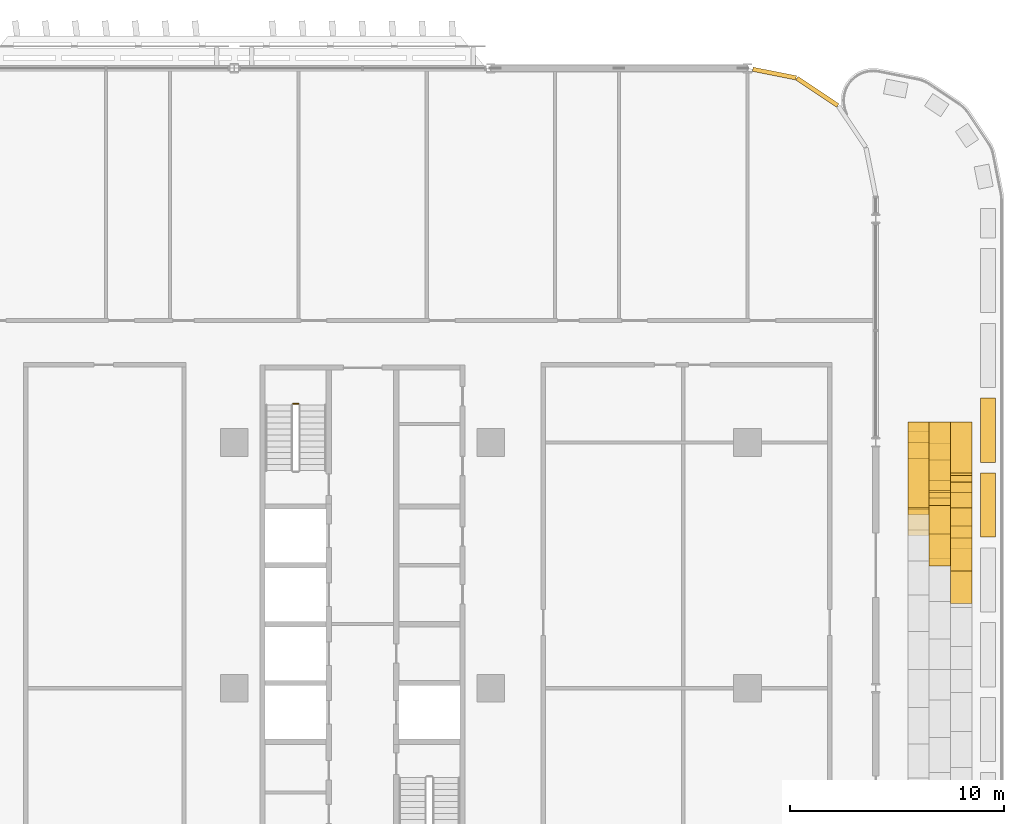
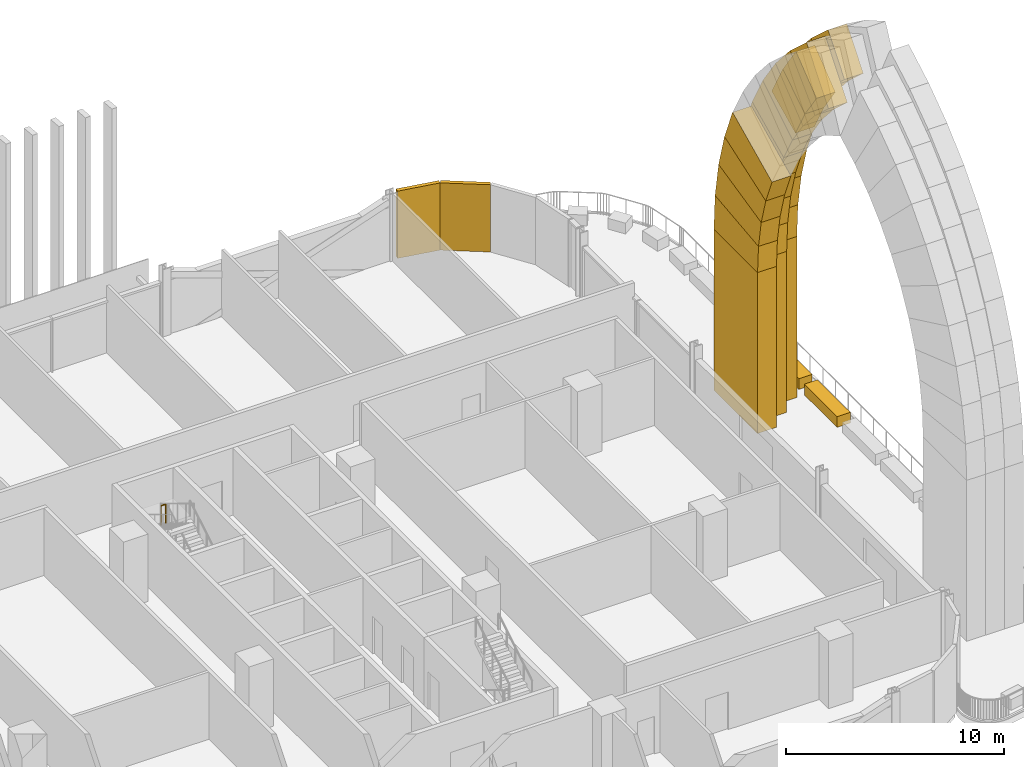
# One storey, part 32 of 33: 27 coverings, 1 railing.
"""IFC4 building model written with IfcOpenShell, lengths in metres."""

from ifc_helpers import new_model, si_unit, direction, frame, origin, origin_2d, place, context, subcontext, project, spatial, polyline, rectangle, circle, outline, extrude, material, layer, layer_set, type_object, element, save


model = new_model("IFC4")

# Units and contexts
model_context = context("Model", 3, precision=1e-05, world=origin(), true_north=direction((0.0, 1.0)))
body_context = subcontext(model_context, "Body", "Model", "MODEL_VIEW")
ifc_project = project(units=[si_unit("LENGTHUNIT", "METRE"), si_unit("AREAUNIT", "SQUARE_METRE"), si_unit("VOLUMEUNIT", "CUBIC_METRE"), si_unit("PLANEANGLEUNIT", "RADIAN"), si_unit("MASSUNIT", "GRAM", prefix="KILO")], contexts=[model_context])

# Site, building, storey
site_placement = place(None, origin())
site = spatial("IfcSite", under=ifc_project, at=site_placement, CompositionType="ELEMENT")
building_placement = place(site_placement, origin())
building = spatial("IfcBuilding", under=site, at=building_placement, Name="Mahtab Terrace Research Tower", CompositionType="ELEMENT")
storey_placement = place(building_placement, frame((0.0, 0.0, 122.0)))
storey = spatial("IfcBuildingStorey", under=building, at=storey_placement, Name="L28", CompositionType="ELEMENT", Elevation=122.0)

# Coverings
ifc_material_1 = material(Name="Black aluminium cladding panel", Category="aluminium")
ifc_layer_1 = layer(ifc_material_1, 0.199951171875)
ifc_layer_set_1 = layer_set([ifc_layer_1], Name="Black metal corner cladding 200")
covering_type_1 = type_object("IfcCoveringType", Name="Black metal corner cladding 200", PredefinedType="CLADDING", material=ifc_layer_set_1)
covering_1_placement = place(storey_placement, frame((45.26953125, 27.89306640625, 0.0), z_axis=(0.0, 0.0, 1.0), x_axis=(-0.831655794326, 0.555291490808, 0.0)))
element("IfcCovering", 1, at=covering_1_placement, inside=storey, type_object=covering_type_1, Name="Corner cladding L28 1", PredefinedType="CLADDING", context=body_context, shape_type="SweptSolid", body=[
    extrude(rectangle(XDim=2.30126953125, YDim=0.199951171875, at=origin_2d()), origin(), (0.0, 0.0, 1.0), 3.760009765625),
])
covering_2_placement = place(storey_placement, frame((43.263916015625, 28.74853515625, 0.0), z_axis=(0.0, 0.0, 1.0), x_axis=(-0.980760981187, 0.195212442692, 0.0)))
element("IfcCovering", 2, at=covering_2_placement, inside=storey, type_object=covering_type_1, Name="Corner cladding L28 2", PredefinedType="CLADDING", context=body_context, shape_type="SweptSolid", body=[
    extrude(rectangle(XDim=2.064697265625, YDim=0.199951171875, at=origin_2d()), origin(), (0.0, 0.0, 1.0), 3.760009765625),
])
ifc_material_2 = material(Name="Glazed ceramic tile cladding", Category="masonry")
ifc_layer_2 = layer(ifc_material_2, 1.0)
ifc_layer_set_2 = layer_set([ifc_layer_2], Name="Iwan portal cladding arch course 800")
covering_type_2 = type_object("IfcCoveringType", Name="Iwan portal cladding arch course 800", PredefinedType="CLADDING", material=ifc_layer_set_2)
covering_3_placement = place(storey_placement, frame((49.5, 8.458984375, 9.030029296875), z_axis=(-1.0, 0.0, 0.0), x_axis=(0.0, -0.055461090286, 0.99846084924)))
element("IfcCovering", 3, at=covering_3_placement, inside=storey, type_object=covering_type_2, Name="Iwan portal arch course 3.1.1E1", PredefinedType="CLADDING", context=body_context, shape_type="SweptSolid", body=[
    extrude(outline(polyline([(0.0, 0.0), (1.5142936167967052, 1.3877787807814457e-17), (1.7362635800146136, 3.9935550356904432), (-0.22184436114221556, 3.993843396958549), (0.0, 0.0)])), origin(), (0.0, 0.0, -1.0), 1.0),
])
covering_4_placement = place(storey_placement, frame((49.5, 8.375, 10.5419921875), z_axis=(-1.0, 0.0, 0.0), x_axis=(0.0, -0.165784869501, 0.986161942606)))
element("IfcCovering", 4, at=covering_4_placement, inside=storey, type_object=covering_type_2, Name="Iwan portal arch course 3.1.1E2", PredefinedType="CLADDING", context=body_context, shape_type="SweptSolid", body=[
    extrude(outline(polyline([(0.0, 0.0), (1.5138689269733931, 5.551115123125783e-17), (1.7359110818804204, 3.9939350001853136), (-0.22202766586581246, 3.9935518280410025), (0.0, 0.0)])), origin(), (0.0, 0.0, -1.0), 1.0),
])
covering_5_placement = place(storey_placement, frame((49.5, 8.1240234375, 12.034912109375), z_axis=(-1.0, 0.0, 0.0), x_axis=(0.0, -0.274124754843, 0.961694139933)))
element("IfcCovering", 5, at=covering_5_placement, inside=storey, type_object=covering_type_2, Name="Iwan portal arch course 3.1.1E3", PredefinedType="CLADDING", context=body_context, shape_type="SweptSolid", body=[
    extrude(outline(polyline([(0.0, 0.0), (1.5140517416494066, 0.0), (1.7349103466203575, 3.9935484145553954), (-0.22224308615465016, 3.9939238243759076), (0.0, 0.0)])), origin(), (0.0, 0.0, -1.0), 1.0),
])
covering_6_placement = place(storey_placement, frame((49.5, 7.708984375, 13.490966796875), z_axis=(-1.0, 0.0, 0.0), x_axis=(0.0, -0.378526083863, 0.925590624324)))
element("IfcCovering", 6, at=covering_6_placement, inside=storey, type_object=covering_type_2, Name="Iwan portal arch course 3.1.1E4", PredefinedType="CLADDING", context=body_context, shape_type="SweptSolid", body=[
    extrude(outline(polyline([(0.0, 0.0), (1.5137610624556468, 0.0), (1.73668289170806, 3.9936038425312264), (-0.22097342622463523, 3.9935420628422307), (0.0, 0.0)])), origin(), (0.0, 0.0, -1.0), 1.0),
])
covering_7_placement = place(storey_placement, frame((50.5, 9.259033203125, 9.030029296875), z_axis=(-1.0, 0.0, 0.0), x_axis=(0.0, -0.055583138191, 0.998454062413)))
element("IfcCovering", 7, at=covering_7_placement, inside=storey, type_object=covering_type_2, Name="Iwan portal arch course 3.1.2E1", PredefinedType="CLADDING", context=body_context, shape_type="SweptSolid", body=[
    extrude(outline(polyline([(0.0, 0.0), (1.6734855417003704, 0.0), (1.8511666529822004, 3.1947465932270167), (-0.17786332819083372, 3.1950042470815383), (0.0, 0.0)])), origin(), (0.0, 0.0, -1.0), 1.0),
])
covering_8_placement = place(storey_placement, frame((50.5, 9.166015625, 10.700927734375), z_axis=(-1.0, 0.0, 0.0), x_axis=(0.0, -0.165510298694, 0.986208061733)))
element("IfcCovering", 8, at=covering_8_placement, inside=storey, type_object=covering_type_2, Name="Iwan portal arch course 3.1.2E2", PredefinedType="CLADDING", context=body_context, shape_type="SweptSolid", body=[
    extrude(outline(polyline([(0.0, 0.0), (1.674213698856141, 0.0), (1.8517904038055755, 3.1945434698054878), (-0.17622683562698915, 3.1948271431560853), (0.0, 0.0)])), origin(), (0.0, 0.0, -1.0), 1.0),
])
covering_9_placement = place(storey_placement, frame((50.5, 8.888916015625, 12.35205078125), z_axis=(-1.0, 0.0, 0.0), x_axis=(0.0, -0.274335648268, 0.961634001109)))
element("IfcCovering", 9, at=covering_9_placement, inside=storey, type_object=covering_type_2, Name="Iwan portal arch course 3.1.2E3", PredefinedType="CLADDING", context=body_context, shape_type="SweptSolid", body=[
    extrude(outline(polyline([(0.0, 0.0), (1.6730759487435956, 0.0), (1.850383701591068, 3.195406730264062), (-0.17937404840301452, 3.1944430527678995), (0.0, 0.0)])), origin(), (0.0, 0.0, -1.0), 1.0),
])
covering_10_placement = place(storey_placement, frame((50.5, 8.429931640625, 13.9609375), z_axis=(-1.0, 0.0, 0.0), x_axis=(0.0, -0.378797544973, 0.925479562131)))
element("IfcCovering", 10, at=covering_10_placement, inside=storey, type_object=covering_type_2, Name="Iwan portal arch course 3.1.2E4", PredefinedType="CLADDING", context=body_context, shape_type="SweptSolid", body=[
    extrude(outline(polyline([(0.0, 0.0), (1.67380494287522, 0.0), (1.8515626471063014, 3.195609089305748), (-0.1764607782230898, 3.195453614869974), (0.0, 0.0)])), origin(), (0.0, 0.0, -1.0), 1.0),
])
covering_11_placement = place(storey_placement, frame((50.5, 7.7958984375, 15.510009765625), z_axis=(-1.0, 0.0, 0.0), x_axis=(0.0, -0.479189366164, 0.877711542225)))
element("IfcCovering", 11, at=covering_11_placement, inside=storey, type_object=covering_type_2, Name="Iwan portal arch course 3.1.2E5", PredefinedType="CLADDING", context=body_context, shape_type="SweptSolid", body=[
    extrude(outline(polyline([(0.0, 0.0), (1.6736639202680141, 0.0), (1.8508755508771322, 3.1959620419107804), (-0.17806941182592895, 3.1955917351312237), (0.0, 0.0)])), origin(), (0.0, 0.0, -1.0), 1.0),
])
covering_12_placement = place(storey_placement, frame((50.5, 6.993896484375, 16.97900390625), z_axis=(-1.0, 0.0, 0.0), x_axis=(0.0, -0.573266629779, 0.8193688859)))
element("IfcCovering", 12, at=covering_12_placement, inside=storey, type_object=covering_type_2, Name="Iwan portal arch course 3.1.2E6", PredefinedType="CLADDING", context=body_context, shape_type="SweptSolid", body=[
    extrude(outline(polyline([(0.0, 0.0), (1.6745452946903905, 1.1102230246251565e-16), (1.85187536857434, 3.194862216653177), (-0.17712348325939486, 3.1959669283388594), (0.0, 0.0)])), origin(), (0.0, 0.0, -1.0), 1.0),
])
covering_13_placement = place(storey_placement, frame((50.5, 6.033935546875, 18.35107421875), z_axis=(-1.0, 0.0, 0.0), x_axis=(0.0, -0.660568670656, 0.750765630105)))
element("IfcCovering", 13, at=covering_13_placement, inside=storey, type_object=covering_type_2, Name="Iwan portal arch course 3.1.2E7", PredefinedType="CLADDING", context=body_context, shape_type="SweptSolid", body=[
    extrude(outline(polyline([(0.0, 0.0), (1.6727715343388532, 0.0), (1.8508341764250305, 3.194909790709554), (-0.17794712227107135, 3.1948279077560944), (0.0, 0.0)])), origin(), (0.0, 0.0, -1.0), 1.0),
])
covering_14_placement = place(storey_placement, frame((50.5, 4.928955078125, 19.60693359375), z_axis=(-1.0, 0.0, 0.0), x_axis=(0.0, -0.73979482891, 0.672832528285)))
element("IfcCovering", 14, at=covering_14_placement, inside=storey, type_object=covering_type_2, Name="Iwan portal arch course 3.1.2E8", PredefinedType="CLADDING", context=body_context, shape_type="SweptSolid", body=[
    extrude(outline(polyline([(0.0, 0.0), (1.673487108850535, 0.0), (1.8512790007977866, 3.1948454305774145), (-0.17754552893332032, 3.1949385691174506), (0.0, 0.0)])), origin(), (0.0, 0.0, -1.0), 1.0),
])
covering_15_placement = place(storey_placement, frame((51.5, 10.05908203125, 9.030029296875), z_axis=(-1.0, 0.0, 0.0), x_axis=(0.0, -0.055646974903, 0.998450506627)))
element("IfcCovering", 15, at=covering_15_placement, inside=storey, type_object=covering_type_2, Name="Iwan portal arch course 3.1.3E1", PredefinedType="CLADDING", context=body_context, shape_type="SweptSolid", body=[
    extrude(outline(polyline([(0.0, 0.0), (1.8338962976595645, 0.0), (1.9666348972427352, 2.39610902219494), (-0.13354730549156593, 2.3961837109730726), (0.0, 0.0)])), origin(), (0.0, 0.0, -1.0), 1.0),
])
covering_16_placement = place(storey_placement, frame((51.5, 9.95703125, 10.861083984375), z_axis=(-1.0, 0.0, 0.0), x_axis=(0.0, -0.165802554609, 0.986158969378)))
element("IfcCovering", 16, at=covering_16_placement, inside=storey, type_object=covering_type_2, Name="Iwan portal arch course 3.1.3E2", PredefinedType="CLADDING", context=body_context, shape_type="SweptSolid", body=[
    extrude(outline(polyline([(0.0, 0.0), (1.8332351925620085, 0.0), (1.9658882582795176, 2.3959773251995724), (-0.13325147419861527, 2.3960805551331514), (0.0, 0.0)])), origin(), (0.0, 0.0, -1.0), 1.0),
])
covering_17_placement = place(storey_placement, frame((51.5, 9.653076171875, 12.6689453125), z_axis=(-1.0, 0.0, 0.0), x_axis=(0.0, -0.273964644053, 0.961739764078)))
element("IfcCovering", 17, at=covering_17_placement, inside=storey, type_object=covering_type_2, Name="Iwan portal arch course 3.1.3E3", PredefinedType="CLADDING", context=body_context, shape_type="SweptSolid", body=[
    extrude(outline(polyline([(0.0, 0.0), (1.8330732688536762, 5.551115123125783e-17), (1.966819249815649, 2.396394703017509), (-0.13343015075237907, 2.3959341755534416), (0.0, 0.0)])), origin(), (0.0, 0.0, -1.0), 1.0),
])
covering_18_placement = place(storey_placement, frame((51.5, 9.15087890625, 14.431884765625), z_axis=(-1.0, 0.0, 0.0), x_axis=(0.0, -0.378907585873, 0.9254345149)))
element("IfcCovering", 18, at=covering_18_placement, inside=storey, type_object=covering_type_2, Name="Iwan portal arch course 3.1.3E4", PredefinedType="CLADDING", context=body_context, shape_type="SweptSolid", body=[
    extrude(outline(polyline([(0.0, 0.0), (1.8337564214998339, 0.0), (1.9667950504576035, 2.396065305027527), (-0.13277687325305976, 2.396448593649151), (0.0, 0.0)])), origin(), (0.0, 0.0, -1.0), 1.0),
])
covering_19_placement = place(storey_placement, frame((51.5, 8.4560546875, 16.12890625), z_axis=(-1.0, 0.0, 0.0), x_axis=(0.0, -0.479048071332, 0.87778866782)))
element("IfcCovering", 19, at=covering_19_placement, inside=storey, type_object=covering_type_2, Name="Iwan portal arch course 3.1.3E5", PredefinedType="CLADDING", context=body_context, shape_type="SweptSolid", body=[
    extrude(outline(polyline([(0.0, 0.0), (1.8331643120562442, 0.0), (1.9666637251937933, 2.3958103054695066), (-0.13308816819776892, 2.3960625539074267), (0.0, 0.0)])), origin(), (0.0, 0.0, -1.0), 1.0),
])
covering_20_placement = place(storey_placement, frame((51.5, 7.577880859375, 17.738037109375), z_axis=(-1.0, 0.0, 0.0), x_axis=(0.0, -0.572997632415, 0.819557022572)))
element("IfcCovering", 20, at=covering_20_placement, inside=storey, type_object=covering_type_2, Name="Iwan portal arch course 3.1.3E6", PredefinedType="CLADDING", context=body_context, shape_type="SweptSolid", body=[
    extrude(outline(polyline([(0.0, 0.0), (1.8338317482583866, 1.1102230246251565e-16), (1.9686955670364228, 2.3955172403048577), (-0.13172638964565087, 2.395908443862762), (0.0, 0.0)])), origin(), (0.0, 0.0, -1.0), 1.0),
])
covering_21_placement = place(storey_placement, frame((51.5, 6.527099609375, 19.240966796875), z_axis=(-1.0, 0.0, 0.0), x_axis=(0.0, -0.661026973468, 0.750362139469)))
element("IfcCovering", 21, at=covering_21_placement, inside=storey, type_object=covering_type_2, Name="Iwan portal arch course 3.1.3E7", PredefinedType="CLADDING", context=body_context, shape_type="SweptSolid", body=[
    extrude(outline(polyline([(0.0, 0.0), (1.8337499856721322, -1.1102230246251565e-16), (1.9657127687380582, 2.3964008370320484), (-0.13378500311602082, 2.395577732229627), (0.0, 0.0)])), origin(), (0.0, 0.0, -1.0), 1.0),
])
covering_22_placement = place(storey_placement, frame((51.5, 5.31494140625, 20.616943359375), z_axis=(-1.0, 0.0, 0.0), x_axis=(0.0, -0.739548312754, 0.673103478749)))
element("IfcCovering", 22, at=covering_22_placement, inside=storey, type_object=covering_type_2, Name="Iwan portal arch course 3.1.3E8", PredefinedType="CLADDING", context=body_context, shape_type="SweptSolid", body=[
    extrude(outline(polyline([(0.0, 0.0), (1.8334935093034797, 0.0), (1.9670745741353508, 2.3959253185493745), (-0.13241679523552174, 2.3963757927716514), (0.0, 0.0)])), origin(), (0.0, 0.0, -1.0), 1.0),
])
ifc_layer_3 = layer(ifc_material_2, 1.0)
ifc_layer_set_3 = layer_set([ifc_layer_3], Name="Iwan portal cladding pilaster 900")
covering_type_3 = type_object("IfcCoveringType", Name="Iwan portal cladding pilaster 900", PredefinedType="CLADDING", material=ifc_layer_set_3)
covering_23_placement = place(storey_placement, frame((50.0, 10.458984375, 0.030029296875), z_axis=(0.0, 0.0, 1.0), x_axis=(0.0, 1.0, 0.0)))
element("IfcCovering", 23, at=covering_23_placement, inside=storey, type_object=covering_type_3, Name="Iwan portal pilaster 3.1.1E", PredefinedType="CLADDING", context=body_context, shape_type="SweptSolid", body=[
    extrude(rectangle(XDim=4.0, YDim=1.0, at=origin_2d()), origin(), (0.0, 0.0, 1.0), 9.0),
])
covering_24_placement = place(storey_placement, frame((51.0, 10.85888671875, 0.030029296875), z_axis=(0.0, 0.0, 1.0), x_axis=(0.0, 1.0, 0.0)))
element("IfcCovering", 24, at=covering_24_placement, inside=storey, type_object=covering_type_3, Name="Iwan portal pilaster 3.1.2E", PredefinedType="CLADDING", context=body_context, shape_type="SweptSolid", body=[
    extrude(rectangle(XDim=3.199951171875, YDim=1.0, at=origin_2d()), origin(), (0.0, 0.0, 1.0), 9.0),
])
covering_25_placement = place(storey_placement, frame((52.0, 11.259033203125, 0.030029296875), z_axis=(0.0, 0.0, 1.0), x_axis=(0.0, 1.0, 0.0)))
element("IfcCovering", 25, at=covering_25_placement, inside=storey, type_object=covering_type_3, Name="Iwan portal pilaster 3.1.3E", PredefinedType="CLADDING", context=body_context, shape_type="SweptSolid", body=[
    extrude(rectangle(XDim=2.39990234375, YDim=1.0, at=origin_2d()), origin(), (0.0, 0.0, 1.0), 9.0),
])
ifc_material_3 = material(Name="Planting soil and shrubs")
ifc_layer_4 = layer(ifc_material_3, 0.1201171875)
ifc_layer_set_4 = layer_set([ifc_layer_4], Name="Planter")
covering_type_4 = type_object("IfcCoveringType", Name="Planter", PredefinedType="USERDEFINED", material=ifc_layer_set_4)
for number, where, z_axis, x_axis, name in (
    (26, (53.25, 8.56591796875, 0.030029296875), (0.0, 0.0, 1.0), (0.0, 1.0, 0.0), "PLANTER terrace 3"),
    (27, (53.25, 12.06591796875, 0.030029296875), (0.0, 0.0, 1.0), (0.0, 1.0, 0.0), "PLANTER terrace 3"),
):
    element("IfcCovering", number, at=place(storey_placement, frame(where, z_axis=z_axis, x_axis=x_axis)), inside=storey, type_object=covering_type_4, Name=name, ObjectType="PLANTER", PredefinedType="USERDEFINED", context=body_context, shape_type="SweptSolid", body=[
        extrude(rectangle(XDim=3.0, YDim=0.699951171875, at=origin_2d()), origin(), (0.0, 0.0, 1.0), 0.60009765625),
    ])

# Railing
ifc_material_4 = material(Name="Stainless steel AISI 304", Category="steel")
railing_type = type_object("IfcRailingType", Name="Stair guard 1100", PredefinedType="GUARDRAIL", material=ifc_material_4)
railing_placement = place(storey_placement, frame((21.0, 13.304931640625, 2.050048828125)))
element("IfcRailing", 28, at=railing_placement, inside=storey, type_object=railing_type, Name="L28 ST3 stair guard 2", PredefinedType="GUARDRAIL", context=body_context, shape_type="SweptSolid", body=[
    extrude(circle(Radius=0.02392578125, at=origin_2d()), frame((0.0, 0.0, 1.076171875), z_axis=(-1.0, 0.0, 0.0), x_axis=(0.0, -1.0, 0.0)), (0.0, 0.0, 1.0), 0.25),
    extrude(circle(Radius=0.02099609375, at=origin_2d()), origin(), (0.0, 0.0, 1.0), 1.052001953125),
    extrude(circle(Radius=0.02099609375, at=origin_2d()), frame((-0.25, 0.0, 0.0)), (0.0, 0.0, 1.0), 1.052001953125),
])

save(model, "model.ifc")
